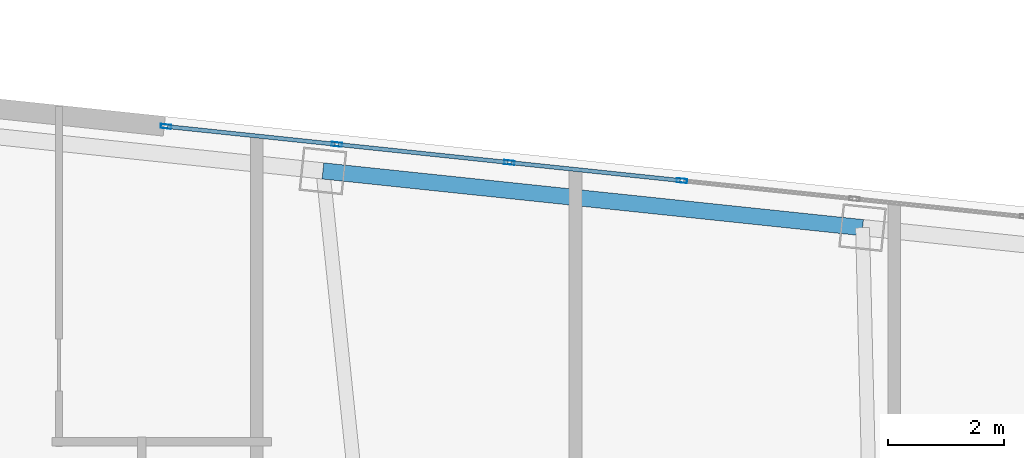
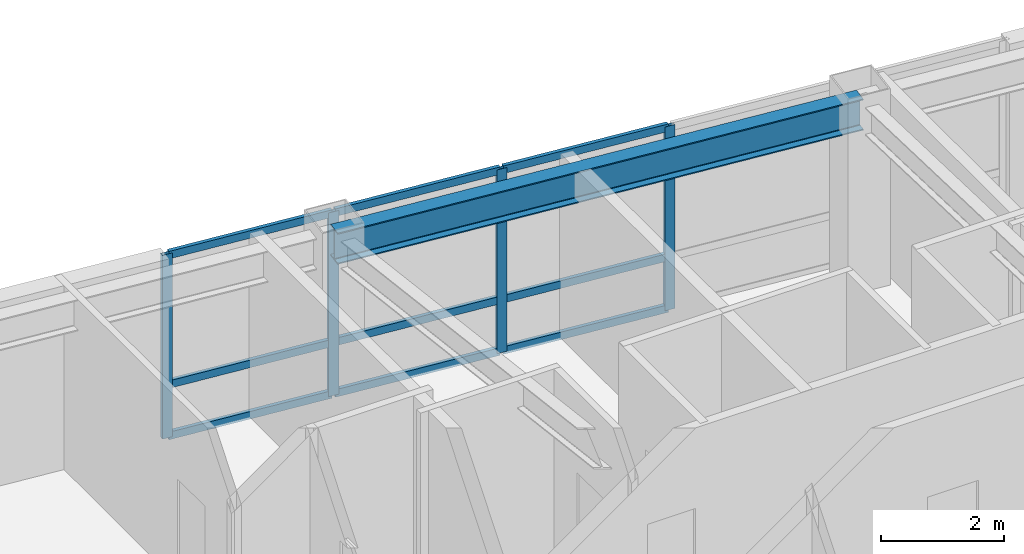
# One storey, part 12 of 23: 13 members, 1 beam, 1 element without a shape of its own.
"""IFC4 building model written with IfcOpenShell, lengths in metres."""

from ifc_helpers import new_model, si_unit, direction, frame, origin, origin_2d, place, context, subcontext, project, spatial, hollow_rectangle, i_section, extrude, material, layer, layer_set, material_profile, profile_set, type_object, element, aggregate, save


model = new_model("IFC4")

# Units and contexts
model_context = context("Model", 3, precision=1e-05, world=origin(), true_north=direction((0.0, 1.0)))
body_context = subcontext(model_context, "Body", "Model", "MODEL_VIEW")
ifc_project = project(units=[si_unit("LENGTHUNIT", "METRE"), si_unit("AREAUNIT", "SQUARE_METRE"), si_unit("VOLUMEUNIT", "CUBIC_METRE"), si_unit("PLANEANGLEUNIT", "RADIAN"), si_unit("MASSUNIT", "GRAM", prefix="KILO")], contexts=[model_context])

# Site, building, storey
site_placement = place(None, origin())
site = spatial("IfcSite", under=ifc_project, at=site_placement, CompositionType="ELEMENT")
building_placement = place(site_placement, origin())
building = spatial("IfcBuilding", under=site, at=building_placement, Name="Voryun Gate Residences", CompositionType="ELEMENT")
storey_placement = place(building_placement, frame((0.0, 0.0, 275.60009765625)))
storey = spatial("IfcBuildingStorey", under=building, at=storey_placement, Name="L68", CompositionType="ELEMENT", Elevation=275.60009765625)

# Beam
ifc_material_1 = material(Name="Steel SM355", Category="steel")
ifc_material_profile_1 = material_profile(ifc_material_1, i_section(OverallWidth=0.280029296875, OverallDepth=0.6201171875, WebThickness=0.013916015625, FlangeThickness=0.02197265625, FilletRadius=0.01806640625, at=origin_2d()), Name="H-620x280x14x22")
ifc_profile_set_1 = profile_set([ifc_material_profile_1], Name="Steel SM355")
beam_type = type_object("IfcBeamType", Name="BM_EXO_SPANDREL_H", PredefinedType="SPANDREL", material=ifc_profile_set_1)
beam_placement = place(storey_placement, frame((3.95166015625, 17.561279296875, 3.33984375), z_axis=(-0.994520592114, 0.104540862157, 0.0), x_axis=(-0.104540862157, -0.994520592114, 0.0)))
element("IfcBeam", 1, at=beam_placement, inside=storey, type_object=beam_type, Name="BM-L68-SPAND-13", PredefinedType="SPANDREL", context=body_context, shape_type="SweptSolid", body=[
    extrude(i_section(OverallWidth=0.280029296875, OverallDepth=0.6201171875, WebThickness=0.013916015625, FlangeThickness=0.02197265625, FilletRadius=0.01806640625, at=origin_2d()), origin(), (0.0, 0.0, 1.0), 9.360107421875),
])

# Curtain wall, members
ifc_material_2 = material(Name="Anodised aluminium", Category="aluminium")
ifc_layer = layer(ifc_material_2, 0.18994140625, Name="CW_SYS_RES_B_DARK_GLASS")
ifc_layer_set = layer_set([ifc_layer], Name="Anodised aluminium")
curtain_wall_type = type_object("IfcCurtainWallType", Name="CW_SYS_RES_B_DARK_GLASS", PredefinedType="NOTDEFINED", material=ifc_layer_set)
curtain_wall_placement = place(storey_placement, origin())
curtain_wall = element("IfcCurtainWall", 2, at=curtain_wall_placement, inside=storey, type_object=curtain_wall_type, Name="Curtain wall CWT-L68-11", PredefinedType="NOTDEFINED")
ifc_material_3 = material(Name="Anodised aluminium", Category="aluminium")
ifc_material_profile_2 = material_profile(ifc_material_3, hollow_rectangle(XDim=0.070068359375, YDim=0.179931640625, WallThickness=0.00390625, at=origin_2d()), Name="ALU-MULL-180x70x4")
ifc_profile_set_2 = profile_set([ifc_material_profile_2], Name="Anodised aluminium")
member_type_1 = type_object("IfcMemberType", Name="CW_MULL_RES", PredefinedType="MULLION", material=ifc_profile_set_2)
member_1_placement = place(storey_placement, frame((-8.064453125, 19.306884765625, 0.0), z_axis=(0.0, 0.0, 1.0), x_axis=(0.104528604386, 0.994521880536, 0.0)))
member_1 = element("IfcMember", 3, at=member_1_placement, type_object=member_type_1, Name="CW4 mullion 1", PredefinedType="MULLION", context=body_context, shape_type="SweptSolid", body=[
    extrude(hollow_rectangle(XDim=0.070068359375, YDim=0.179931640625, WallThickness=0.00390625, at=origin_2d()), origin(), (0.0, 0.0, 1.0), 3.64990234375),
])
member_2_placement = place(storey_placement, frame((-5.11767578125, 18.997314453125, 0.0), z_axis=(0.0, 0.0, 1.0), x_axis=(0.104528604386, 0.994521880536, 0.0)))
member_2 = element("IfcMember", 4, at=member_2_placement, type_object=member_type_1, Name="CW4 mullion 2", PredefinedType="MULLION", context=body_context, shape_type="SweptSolid", body=[
    extrude(hollow_rectangle(XDim=0.070068359375, YDim=0.179931640625, WallThickness=0.00390625, at=origin_2d()), origin(), (0.0, 0.0, 1.0), 3.64990234375),
])
member_3_placement = place(storey_placement, frame((-2.140869140625, 18.684326171875, 0.0), z_axis=(0.0, 0.0, 1.0), x_axis=(0.104528604386, 0.994521880536, 0.0)))
member_3 = element("IfcMember", 5, at=member_3_placement, type_object=member_type_1, Name="CW4 mullion 3", PredefinedType="MULLION", context=body_context, shape_type="SweptSolid", body=[
    extrude(hollow_rectangle(XDim=0.070068359375, YDim=0.179931640625, WallThickness=0.00390625, at=origin_2d()), origin(), (0.0, 0.0, 1.0), 3.64990234375),
])
member_4_placement = place(storey_placement, frame((0.835693359375, 18.37158203125, 0.0), z_axis=(0.0, 0.0, 1.0), x_axis=(0.104528604386, 0.994521880536, 0.0)))
member_4 = element("IfcMember", 6, at=member_4_placement, type_object=member_type_1, Name="CW4 mullion 4", PredefinedType="MULLION", context=body_context, shape_type="SweptSolid", body=[
    extrude(hollow_rectangle(XDim=0.070068359375, YDim=0.179931640625, WallThickness=0.00390625, at=origin_2d()), origin(), (0.0, 0.0, 1.0), 3.64990234375),
])
ifc_material_4 = material(Name="Anodised aluminium", Category="aluminium")
ifc_material_profile_3 = material_profile(ifc_material_4, hollow_rectangle(XDim=0.070068359375, YDim=0.14990234375, WallThickness=0.00390625, at=origin_2d()), Name="ALU-TRAN-150x70x4")
ifc_profile_set_3 = profile_set([ifc_material_profile_3], Name="Anodised aluminium")
member_type_2 = type_object("IfcMemberType", Name="CW_TRAN_RES", PredefinedType="USERDEFINED", material=ifc_profile_set_3)
member_5_placement = place(storey_placement, frame((-8.03466796875, 19.3037109375, 0.02978515625), z_axis=(0.994530308302, -0.104448388543, 0.0), x_axis=(0.104448388543, 0.994530308302, 0.0)))
member_5 = element("IfcMember", 7, at=member_5_placement, type_object=member_type_2, Name="CW4 transom 1.1", ObjectType="TRANSOM", PredefinedType="USERDEFINED", context=body_context, shape_type="SweptSolid", body=[
    extrude(hollow_rectangle(XDim=0.070068359375, YDim=0.14990234375, WallThickness=0.00390625, at=origin_2d()), origin(), (0.0, 0.0, 1.0), 2.903076171875),
])
member_6_placement = place(storey_placement, frame((-8.03466796875, 19.3037109375, 1.0498046875), z_axis=(0.994530308302, -0.104448388543, 0.0), x_axis=(0.104448388543, 0.994530308302, 0.0)))
member_6 = element("IfcMember", 8, at=member_6_placement, type_object=member_type_2, Name="CW4 transom 1.2", ObjectType="TRANSOM", PredefinedType="USERDEFINED", context=body_context, shape_type="SweptSolid", body=[
    extrude(hollow_rectangle(XDim=0.070068359375, YDim=0.14990234375, WallThickness=0.00390625, at=origin_2d()), origin(), (0.0, 0.0, 1.0), 2.903076171875),
])
member_7_placement = place(storey_placement, frame((-8.03466796875, 19.3037109375, 3.619873046875), z_axis=(0.994530308302, -0.104448388543, 0.0), x_axis=(0.104448388543, 0.994530308302, 0.0)))
member_7 = element("IfcMember", 9, at=member_7_placement, type_object=member_type_2, Name="CW4 transom 1.3", ObjectType="TRANSOM", PredefinedType="USERDEFINED", context=body_context, shape_type="SweptSolid", body=[
    extrude(hollow_rectangle(XDim=0.070068359375, YDim=0.14990234375, WallThickness=0.00390625, at=origin_2d()), origin(), (0.0, 0.0, 1.0), 2.903076171875),
])
member_8_placement = place(storey_placement, frame((-5.087890625, 18.994140625, 0.02978515625), z_axis=(0.994520038301, -0.104546130575, 0.0), x_axis=(0.104546130575, 0.994520038301, 0.0)))
member_8 = element("IfcMember", 10, at=member_8_placement, type_object=member_type_2, Name="CW4 transom 2.1", ObjectType="TRANSOM", PredefinedType="USERDEFINED", context=body_context, shape_type="SweptSolid", body=[
    extrude(hollow_rectangle(XDim=0.070068359375, YDim=0.14990234375, WallThickness=0.00390625, at=origin_2d()), origin(), (0.0, 0.0, 1.0), 2.93310546875),
])
member_9_placement = place(storey_placement, frame((-5.087890625, 18.994140625, 1.0498046875), z_axis=(0.994520038301, -0.104546130575, 0.0), x_axis=(0.104546130575, 0.994520038301, 0.0)))
member_9 = element("IfcMember", 11, at=member_9_placement, type_object=member_type_2, Name="CW4 transom 2.2", ObjectType="TRANSOM", PredefinedType="USERDEFINED", context=body_context, shape_type="SweptSolid", body=[
    extrude(hollow_rectangle(XDim=0.070068359375, YDim=0.14990234375, WallThickness=0.00390625, at=origin_2d()), origin(), (0.0, 0.0, 1.0), 2.93310546875),
])
member_10_placement = place(storey_placement, frame((-5.087890625, 18.994140625, 3.619873046875), z_axis=(0.994520038301, -0.104546130575, 0.0), x_axis=(0.104546130575, 0.994520038301, 0.0)))
member_10 = element("IfcMember", 12, at=member_10_placement, type_object=member_type_2, Name="CW4 transom 2.3", ObjectType="TRANSOM", PredefinedType="USERDEFINED", context=body_context, shape_type="SweptSolid", body=[
    extrude(hollow_rectangle(XDim=0.070068359375, YDim=0.14990234375, WallThickness=0.00390625, at=origin_2d()), origin(), (0.0, 0.0, 1.0), 2.93310546875),
])
member_11_placement = place(storey_placement, frame((-2.111083984375, 18.68115234375, 0.02978515625), z_axis=(0.994528689425, -0.104463801911, 0.0), x_axis=(0.104463801911, 0.994528689425, 0.0)))
member_11 = element("IfcMember", 13, at=member_11_placement, type_object=member_type_2, Name="CW4 transom 3.1", ObjectType="TRANSOM", PredefinedType="USERDEFINED", context=body_context, shape_type="SweptSolid", body=[
    extrude(hollow_rectangle(XDim=0.070068359375, YDim=0.14990234375, WallThickness=0.00390625, at=origin_2d()), origin(), (0.0, 0.0, 1.0), 2.93310546875),
])
member_12_placement = place(storey_placement, frame((-2.111083984375, 18.68115234375, 1.0498046875), z_axis=(0.994528689425, -0.104463801911, 0.0), x_axis=(0.104463801911, 0.994528689425, 0.0)))
member_12 = element("IfcMember", 14, at=member_12_placement, type_object=member_type_2, Name="CW4 transom 3.2", ObjectType="TRANSOM", PredefinedType="USERDEFINED", context=body_context, shape_type="SweptSolid", body=[
    extrude(hollow_rectangle(XDim=0.070068359375, YDim=0.14990234375, WallThickness=0.00390625, at=origin_2d()), origin(), (0.0, 0.0, 1.0), 2.93310546875),
])
member_13_placement = place(storey_placement, frame((-2.111083984375, 18.68115234375, 3.619873046875), z_axis=(0.994528689425, -0.104463801911, 0.0), x_axis=(0.104463801911, 0.994528689425, 0.0)))
member_13 = element("IfcMember", 15, at=member_13_placement, type_object=member_type_2, Name="CW4 transom 3.3", ObjectType="TRANSOM", PredefinedType="USERDEFINED", context=body_context, shape_type="SweptSolid", body=[
    extrude(hollow_rectangle(XDim=0.070068359375, YDim=0.14990234375, WallThickness=0.00390625, at=origin_2d()), origin(), (0.0, 0.0, 1.0), 2.93310546875),
])
aggregate(curtain_wall, [member_1, member_2, member_3, member_4, member_5, member_6, member_7, member_8, member_9, member_10, member_11, member_12, member_13])

save(model, "model.ifc")
